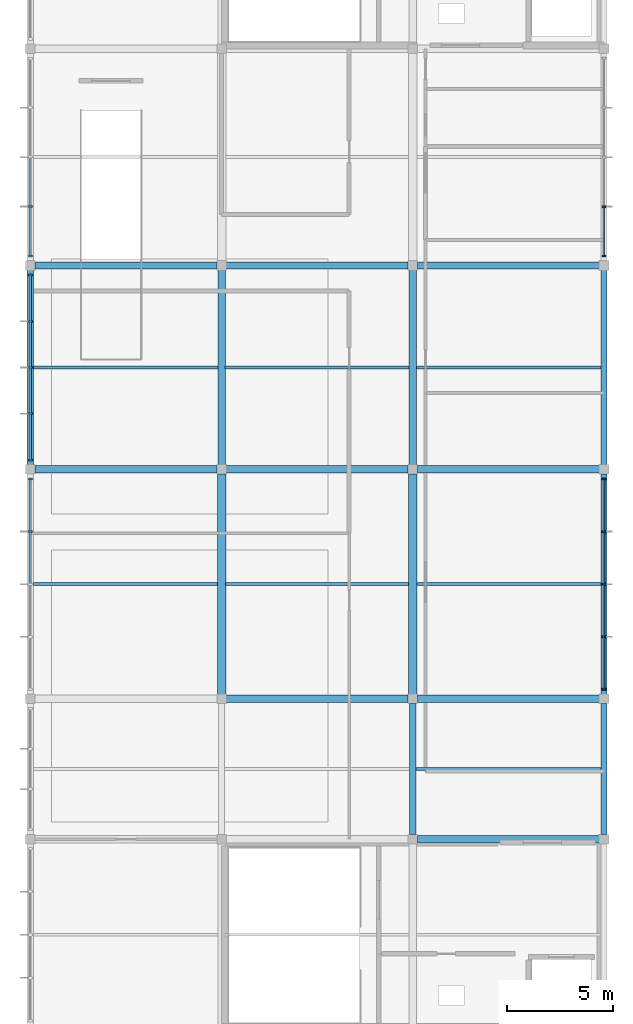
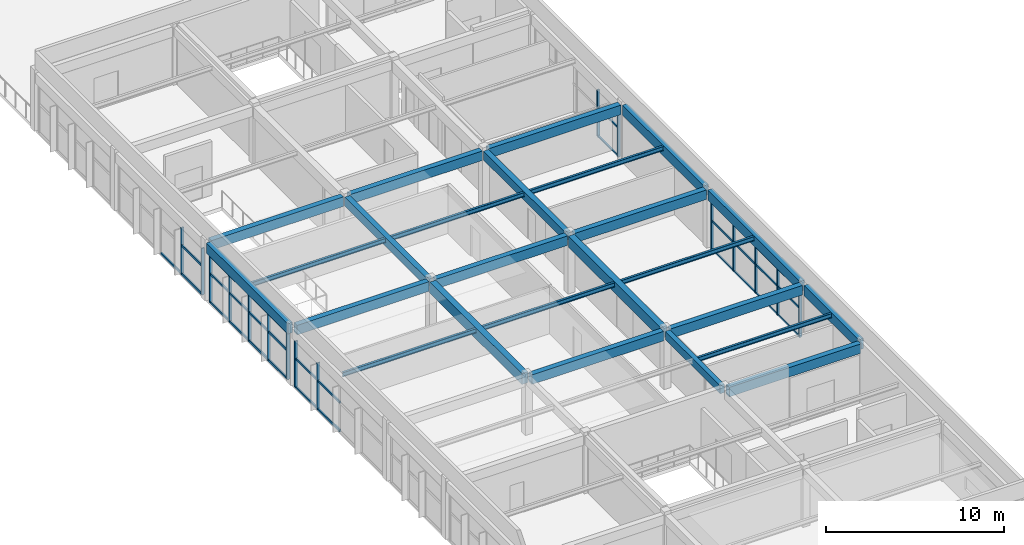
# One storey, part 3 of 10: 43 members, 25 beams, 5 elements without a shape of their own.
"""IFC4 building model written with IfcOpenShell, lengths in metres."""

from ifc_helpers import new_model, si_unit, direction, frame, origin, origin_2d, place, context, subcontext, project, spatial, rectangle, i_section, extrude, material, material_profile, profile_set, type_object, element, aggregate, save


model = new_model("IFC4")

# Units and contexts
model_context = context("Model", 3, precision=1e-05, world=origin(), true_north=direction((0.0, 1.0)))
body_context = subcontext(model_context, "Body", "Model", "MODEL_VIEW")
ifc_project = project(units=[si_unit("LENGTHUNIT", "METRE"), si_unit("AREAUNIT", "SQUARE_METRE"), si_unit("VOLUMEUNIT", "CUBIC_METRE"), si_unit("PLANEANGLEUNIT", "RADIAN"), si_unit("MASSUNIT", "GRAM", prefix="KILO")], contexts=[model_context])

# Site, building, storey
site_placement = place(None, origin())
site = spatial("IfcSite", under=ifc_project, at=site_placement, CompositionType="ELEMENT")
building_placement = place(site_placement, origin())
building = spatial("IfcBuilding", under=site, at=building_placement, Name="Suirenkawa Promenade Aquatics Centre", CompositionType="ELEMENT")
storey_placement = place(building_placement, frame((0.0, 0.0, 18.60009765625)))
storey = spatial("IfcBuildingStorey", under=building, at=storey_placement, Name="L04", CompositionType="ELEMENT", Elevation=18.60009765625)

# Beams
ifc_material_1 = material(Name="Steel IS 2062 E350 (Grade 350)", Category="steel")
ifc_material_profile_1 = material_profile(ifc_material_1, i_section(OverallWidth=0.139892578125, OverallDepth=0.300048828125, WebThickness=0.008056640625, FlangeThickness=0.012939453125, at=origin_2d()), Name="ISMB 300", Category="steel")
ifc_profile_set_1 = profile_set([ifc_material_profile_1], Name="Steel IS 2062 E350 (Grade 350)")
beam_type_1 = type_object("IfcBeamType", Name="BT-JOIST-ISMB300", PredefinedType="JOIST", material=ifc_profile_set_1)
beam_1_placement = place(storey_placement, frame((0.14404296875, 34.199951171875, 3.81787109375), z_axis=(1.0, 0.0, 0.0), x_axis=(0.0, 1.0, 0.0)))
element("IfcBeam", 1, at=beam_1_placement, inside=storey, type_object=beam_type_1, Name="Secondary floor joist JS-02 BM-0890", PredefinedType="JOIST", context=body_context, shape_type="SweptSolid", body=[
    extrude(i_section(OverallWidth=0.139892578125, OverallDepth=0.300048828125, WebThickness=0.008056640625, FlangeThickness=0.012939453125, at=origin_2d()), origin(), (0.0, 0.0, 1.0), 8.661865234375),
])
beam_2_placement = place(storey_placement, frame((0.14404296875, 44.39990234375, 3.81787109375), z_axis=(1.0, 0.0, 0.0), x_axis=(0.0, 1.0, 0.0)))
element("IfcBeam", 2, at=beam_2_placement, inside=storey, type_object=beam_type_1, Name="Secondary floor joist JS-02 BM-0891", PredefinedType="JOIST", context=body_context, shape_type="SweptSolid", body=[
    extrude(i_section(OverallWidth=0.139892578125, OverallDepth=0.300048828125, WebThickness=0.008056640625, FlangeThickness=0.012939453125, at=origin_2d()), origin(), (0.0, 0.0, 1.0), 8.68701171875),
])
beam_3_placement = place(storey_placement, frame((9.194091796875, 34.199951171875, 3.81787109375), z_axis=(1.0, 0.0, 0.0), x_axis=(0.0, 1.0, 0.0)))
element("IfcBeam", 3, at=beam_3_placement, inside=storey, type_object=beam_type_1, Name="Secondary floor joist JS-02 BM-0897", PredefinedType="JOIST", context=body_context, shape_type="SweptSolid", body=[
    extrude(i_section(OverallWidth=0.139892578125, OverallDepth=0.300048828125, WebThickness=0.008056640625, FlangeThickness=0.012939453125, at=origin_2d()), origin(), (0.0, 0.0, 1.0), 8.61181640625),
])
beam_4_placement = place(storey_placement, frame((9.1689453125, 44.39990234375, 3.81787109375), z_axis=(1.0, 0.0, 0.0), x_axis=(0.0, 1.0, 0.0)))
element("IfcBeam", 4, at=beam_4_placement, inside=storey, type_object=beam_type_1, Name="Secondary floor joist JS-02 BM-0898", PredefinedType="JOIST", context=body_context, shape_type="SweptSolid", body=[
    extrude(i_section(OverallWidth=0.139892578125, OverallDepth=0.300048828125, WebThickness=0.008056640625, FlangeThickness=0.012939453125, at=origin_2d()), origin(), (0.0, 0.0, 1.0), 8.662109375),
])
beam_5_placement = place(storey_placement, frame((18.14404296875, 25.5, 3.81787109375), z_axis=(1.0, 0.0, 0.0), x_axis=(0.0, 1.0, 0.0)))
element("IfcBeam", 5, at=beam_5_placement, inside=storey, type_object=beam_type_1, Name="Secondary floor joist JS-02 BM-0903", PredefinedType="JOIST", context=body_context, shape_type="SweptSolid", body=[
    extrude(i_section(OverallWidth=0.139892578125, OverallDepth=0.300048828125, WebThickness=0.008056640625, FlangeThickness=0.012939453125, at=origin_2d()), origin(), (0.0, 0.0, 1.0), 8.7119140625),
])
beam_6_placement = place(storey_placement, frame((18.194091796875, 34.199951171875, 3.81787109375), z_axis=(1.0, 0.0, 0.0), x_axis=(0.0, 1.0, 0.0)))
element("IfcBeam", 6, at=beam_6_placement, inside=storey, type_object=beam_type_1, Name="Secondary floor joist JS-02 BM-0904", PredefinedType="JOIST", context=body_context, shape_type="SweptSolid", body=[
    extrude(i_section(OverallWidth=0.139892578125, OverallDepth=0.300048828125, WebThickness=0.008056640625, FlangeThickness=0.012939453125, at=origin_2d()), origin(), (0.0, 0.0, 1.0), 8.661865234375),
])
beam_7_placement = place(storey_placement, frame((18.1689453125, 44.39990234375, 3.81787109375), z_axis=(1.0, 0.0, 0.0), x_axis=(0.0, 1.0, 0.0)))
element("IfcBeam", 7, at=beam_7_placement, inside=storey, type_object=beam_type_1, Name="Secondary floor joist JS-02 BM-0905", PredefinedType="JOIST", context=body_context, shape_type="SweptSolid", body=[
    extrude(i_section(OverallWidth=0.139892578125, OverallDepth=0.300048828125, WebThickness=0.008056640625, FlangeThickness=0.012939453125, at=origin_2d()), origin(), (0.0, 0.0, 1.0), 8.68701171875),
])
ifc_material_2 = material(Name="Concrete M35", Category="concrete")
ifc_material_profile_2 = material_profile(ifc_material_2, rectangle(XDim=0.300048828125, YDim=0.550048828125, at=origin_2d()), Name="RC BM 300x550", Category="concrete")
ifc_profile_set_2 = profile_set([ifc_material_profile_2], Name="Concrete M35")
beam_type_2 = type_object("IfcBeamType", Name="BT-RC-300x550", PredefinedType="BEAM", material=ifc_profile_set_2)
beam_8_placement = place(storey_placement, frame((18.0, 22.4189453125, 3.69482421875), z_axis=(0.0, 1.0, 0.0), x_axis=(-1.0, 0.0, 0.0)))
element("IfcBeam", 8, at=beam_8_placement, inside=storey, type_object=beam_type_2, Name="Floor beam BM-01 BM-0875", PredefinedType="BEAM", context=body_context, shape_type="SweptSolid", body=[
    extrude(rectangle(XDim=0.300048828125, YDim=0.550048828125, at=origin_2d()), origin(), (0.0, 0.0, 1.0), 6.162109375),
])
ifc_material_profile_3 = material_profile(ifc_material_2, rectangle(XDim=0.35009765625, YDim=0.60009765625, at=origin_2d()), Name="RC BM 350x600", Category="concrete")
ifc_profile_set_3 = profile_set([ifc_material_profile_3], Name="Concrete M35")
beam_type_3 = type_object("IfcBeamType", Name="BT-RC-350x600", PredefinedType="BEAM", material=ifc_profile_set_3)
for number, where, z_axis, x_axis, name in (
    (9, (9.0, 39.819091796875, 3.669921875), (0.0, 1.0, 0.0), (-1.0, 0.0, 0.0), "Floor beam BM-02 BM-0870"),
    (10, (18.0, 39.819091796875, 3.669921875), (0.0, 1.0, 0.0), (-1.0, 0.0, 0.0), "Floor beam BM-02 BM-0877"),
):
    element("IfcBeam", number, at=place(storey_placement, frame(where, z_axis=z_axis, x_axis=x_axis)), inside=storey, type_object=beam_type_3, Name=name, PredefinedType="BEAM", context=body_context, shape_type="SweptSolid", body=[
        extrude(rectangle(XDim=0.35009765625, YDim=0.60009765625, at=origin_2d()), origin(), (0.0, 0.0, 1.0), 9.161865234375),
    ])
ifc_material_profile_4 = material_profile(ifc_material_2, rectangle(XDim=0.35009765625, YDim=0.64990234375, at=origin_2d()), Name="RC BM 350x650", Category="concrete")
ifc_profile_set_4 = profile_set([ifc_material_profile_4], Name="Concrete M35")
beam_type_4 = type_object("IfcBeamType", Name="BT-RC-350x650", PredefinedType="BEAM", material=ifc_profile_set_4)
for number, where, z_axis, x_axis, name in (
    (11, (18.218994140625, 22.199951171875, 3.64501953125), (1.0, 0.0, 0.0), (0.0, 1.0, 0.0), "Floor beam BM-03 BM-0843"),
    (12, (9.218994140625, 28.800048828125, 3.64501953125), (1.0, 0.0, 0.0), (0.0, 1.0, 0.0), "Floor beam BM-03 BM-0845"),
    (13, (18.218994140625, 28.800048828125, 3.64501953125), (1.0, 0.0, 0.0), (0.0, 1.0, 0.0), "Floor beam BM-03 BM-0846"),
    (14, (0.218994140625, 39.60009765625, 3.64501953125), (1.0, 0.0, 0.0), (0.0, 1.0, 0.0), "Floor beam BM-03 BM-0847"),
    (15, (9.218994140625, 39.60009765625, 3.64501953125), (1.0, 0.0, 0.0), (0.0, 1.0, 0.0), "Floor beam BM-03 BM-0848"),
    (16, (18.218994140625, 39.60009765625, 3.64501953125), (1.0, 0.0, 0.0), (0.0, 1.0, 0.0), "Floor beam BM-03 BM-0849"),
    (17, (0.218994140625, 49.199951171875, 3.64501953125), (1.0, 0.0, 0.0), (0.0, 1.0, 0.0), "Floor beam BM-03 BM-0850"),
    (18, (9.218994140625, 49.199951171875, 3.64501953125), (1.0, 0.0, 0.0), (0.0, 1.0, 0.0), "Floor beam BM-03 BM-0851"),
    (19, (18.218994140625, 49.199951171875, 3.64501953125), (1.0, 0.0, 0.0), (0.0, 1.0, 0.0), "Floor beam BM-03 BM-0852"),
):
    element("IfcBeam", number, at=place(storey_placement, frame(where, z_axis=z_axis, x_axis=x_axis)), inside=storey, type_object=beam_type_4, Name=name, PredefinedType="BEAM", context=body_context, shape_type="SweptSolid", body=[
        extrude(rectangle(XDim=0.35009765625, YDim=0.64990234375, at=origin_2d()), origin(), (0.0, 0.0, 1.0), 8.56201171875),
    ])
ifc_material_3 = material(Name="Concrete M40", Category="concrete")
ifc_material_profile_5 = material_profile(ifc_material_3, rectangle(XDim=0.39990234375, YDim=0.75, at=origin_2d()), Name="RC BM 400x750", Category="concrete")
ifc_profile_set_5 = profile_set([ifc_material_profile_5], Name="Concrete M40")
beam_type_5 = type_object("IfcBeamType", Name="BT-RC-400x750", PredefinedType="BEAM", material=ifc_profile_set_5)
for number, where, z_axis, x_axis, name in (
    (20, (9.0, 29.01904296875, 3.594970703125), (0.0, 1.0, 0.0), (-1.0, 0.0, 0.0), "Floor beam BM-05 BM-0869"),
    (21, (18.0, 29.01904296875, 3.594970703125), (0.0, 1.0, 0.0), (-1.0, 0.0, 0.0), "Floor beam BM-05 BM-0876"),
):
    element("IfcBeam", number, at=place(storey_placement, frame(where, z_axis=z_axis, x_axis=x_axis)), inside=storey, type_object=beam_type_5, Name=name, PredefinedType="BEAM", context=body_context, shape_type="SweptSolid", body=[
        extrude(rectangle(XDim=0.39990234375, YDim=0.75, at=origin_2d()), origin(), (0.0, 0.0, 1.0), 10.362060546875),
    ])
ifc_material_profile_6 = material_profile(ifc_material_3, rectangle(XDim=0.300048828125, YDim=0.699951171875, at=origin_2d()), Name="RC SPANDREL 300x700", Category="concrete")
ifc_profile_set_6 = profile_set([ifc_material_profile_6], Name="Concrete M40")
beam_type_6 = type_object("IfcBeamType", Name="BT-SPANDREL-300x700", PredefinedType="SPANDREL", material=ifc_profile_set_6)
beam_9_placement = place(storey_placement, frame((0.0, 39.819091796875, 3.619873046875), z_axis=(0.0, 1.0, 0.0), x_axis=(-1.0, 0.0, 0.0)))
element("IfcBeam", 22, at=beam_9_placement, inside=storey, type_object=beam_type_6, Name="Floor beam SP-01 BM-0863", PredefinedType="SPANDREL", context=body_context, shape_type="SweptSolid", body=[
    extrude(rectangle(XDim=0.300048828125, YDim=0.699951171875, at=origin_2d()), origin(), (0.0, 0.0, 1.0), 9.161865234375),
])
beam_10_placement = place(storey_placement, frame((27.0, 22.4189453125, 3.619873046875), z_axis=(0.0, 1.0, 0.0), x_axis=(-1.0, 0.0, 0.0)))
element("IfcBeam", 23, at=beam_10_placement, inside=storey, type_object=beam_type_6, Name="Floor beam SP-01 BM-0882", PredefinedType="SPANDREL", context=body_context, shape_type="SweptSolid", body=[
    extrude(rectangle(XDim=0.300048828125, YDim=0.699951171875, at=origin_2d()), origin(), (0.0, 0.0, 1.0), 6.162109375),
])
beam_11_placement = place(storey_placement, frame((27.0, 29.01904296875, 3.619873046875), z_axis=(0.0, 1.0, 0.0), x_axis=(-1.0, 0.0, 0.0)))
element("IfcBeam", 24, at=beam_11_placement, inside=storey, type_object=beam_type_6, Name="Floor beam SP-01 BM-0883", PredefinedType="SPANDREL", context=body_context, shape_type="SweptSolid", body=[
    extrude(rectangle(XDim=0.300048828125, YDim=0.699951171875, at=origin_2d()), origin(), (0.0, 0.0, 1.0), 10.362060546875),
])
beam_12_placement = place(storey_placement, frame((27.0, 39.819091796875, 3.619873046875), z_axis=(0.0, 1.0, 0.0), x_axis=(-1.0, 0.0, 0.0)))
element("IfcBeam", 25, at=beam_12_placement, inside=storey, type_object=beam_type_6, Name="Floor beam SP-01 BM-0884", PredefinedType="SPANDREL", context=body_context, shape_type="SweptSolid", body=[
    extrude(rectangle(XDim=0.300048828125, YDim=0.699951171875, at=origin_2d()), origin(), (0.0, 0.0, 1.0), 9.161865234375),
])

# Curtain wall, members
ifc_material_4 = material(Name="Anodised aluminium 6063-T6", Category="aluminium")
curtain_wall_type_1 = type_object("IfcCurtainWallType", Name="CWAT-V5EL04-82", PredefinedType="NOTDEFINED", material=ifc_material_4)
curtain_wall_1_placement = place(storey_placement, origin())
curtain_wall_1 = element("IfcCurtainWall", 26, at=curtain_wall_1_placement, inside=storey, type_object=curtain_wall_type_1, Name="Curtain wall CWA-82 CW-149", PredefinedType="NOTDEFINED")
ifc_material_profile_7 = material_profile(ifc_material_4, rectangle(XDim=0.090087890625, YDim=0.159912109375, at=origin_2d()), Name="ALU MULL 90x160", Category="aluminium")
ifc_profile_set_7 = profile_set([ifc_material_profile_7], Name="Anodised aluminium 6063-T6")
member_type_1 = type_object("IfcMemberType", Name="CWM-160x90", PredefinedType="MULLION", material=ifc_profile_set_7)
member_1_placement = place(storey_placement, frame((27.0, 39.15087890625, 0.0), z_axis=(0.0, 0.0, 1.0), x_axis=(0.0, -1.0, 0.0)))
member_1 = element("IfcMember", 27, at=member_1_placement, type_object=member_type_1, Name="Mullion ML-03 CWM-03032", PredefinedType="MULLION", context=body_context, shape_type="SweptSolid", body=[
    extrude(rectangle(XDim=0.090087890625, YDim=0.159912109375, at=origin_2d()), origin(), (0.0, 0.0, 1.0), 3.1748046875),
])
member_2_placement = place(storey_placement, frame((27.0, 36.675537109375, 0.0), z_axis=(0.0, 0.0, 1.0), x_axis=(0.0, -1.0, 0.0)))
member_2 = element("IfcMember", 28, at=member_2_placement, type_object=member_type_1, Name="Mullion ML-03 CWM-03033", PredefinedType="MULLION", context=body_context, shape_type="SweptSolid", body=[
    extrude(rectangle(XDim=0.090087890625, YDim=0.159912109375, at=origin_2d()), origin(), (0.0, 0.0, 1.0), 3.1748046875),
])
member_3_placement = place(storey_placement, frame((27.0, 34.199951171875, 0.0), z_axis=(0.0, 0.0, 1.0), x_axis=(0.0, -1.0, 0.0)))
member_3 = element("IfcMember", 29, at=member_3_placement, type_object=member_type_1, Name="Mullion ML-03 CWM-03034", PredefinedType="MULLION", context=body_context, shape_type="SweptSolid", body=[
    extrude(rectangle(XDim=0.090087890625, YDim=0.159912109375, at=origin_2d()), origin(), (0.0, 0.0, 1.0), 3.1748046875),
])
member_4_placement = place(storey_placement, frame((27.0, 31.724609375, 0.0), z_axis=(0.0, 0.0, 1.0), x_axis=(0.0, -1.0, 0.0)))
member_4 = element("IfcMember", 30, at=member_4_placement, type_object=member_type_1, Name="Mullion ML-03 CWM-03035", PredefinedType="MULLION", context=body_context, shape_type="SweptSolid", body=[
    extrude(rectangle(XDim=0.090087890625, YDim=0.159912109375, at=origin_2d()), origin(), (0.0, 0.0, 1.0), 3.1748046875),
])
member_5_placement = place(storey_placement, frame((27.0, 29.2490234375, 0.0), z_axis=(0.0, 0.0, 1.0), x_axis=(0.0, -1.0, 0.0)))
member_5 = element("IfcMember", 31, at=member_5_placement, type_object=member_type_1, Name="Mullion ML-03 CWM-03036", PredefinedType="MULLION", context=body_context, shape_type="SweptSolid", body=[
    extrude(rectangle(XDim=0.090087890625, YDim=0.159912109375, at=origin_2d()), origin(), (0.0, 0.0, 1.0), 3.1748046875),
])

curtain_wall_type_2 = type_object("IfcCurtainWallType", Name="CWAT-V5EL04-85", PredefinedType="NOTDEFINED", material=ifc_material_4)
curtain_wall_2_placement = place(storey_placement, origin())
curtain_wall_2 = element("IfcCurtainWall", 32, at=curtain_wall_2_placement, inside=storey, type_object=curtain_wall_type_2, Name="Curtain wall CWA-85 CW-152", PredefinedType="NOTDEFINED")
member_6_placement = place(storey_placement, frame((27.0, 51.974609375, 0.0), z_axis=(0.0, 0.0, 1.0), x_axis=(0.0, -1.0, 0.0)))
member_6 = element("IfcMember", 33, at=member_6_placement, type_object=member_type_1, Name="Mullion ML-03 CWM-03101", PredefinedType="MULLION", context=body_context, shape_type="SweptSolid", body=[
    extrude(rectangle(XDim=0.090087890625, YDim=0.159912109375, at=origin_2d()), origin(), (0.0, 0.0, 1.0), 3.1748046875),
])
member_7_placement = place(storey_placement, frame((27.0, 49.64892578125, 0.0), z_axis=(0.0, 0.0, 1.0), x_axis=(0.0, -1.0, 0.0)))
member_7 = element("IfcMember", 34, at=member_7_placement, type_object=member_type_1, Name="Mullion ML-03 CWM-03102", PredefinedType="MULLION", context=body_context, shape_type="SweptSolid", body=[
    extrude(rectangle(XDim=0.090087890625, YDim=0.159912109375, at=origin_2d()), origin(), (0.0, 0.0, 1.0), 3.1748046875),
])

curtain_wall_type_3 = type_object("IfcCurtainWallType", Name="CWAT-V5WL04-81", PredefinedType="NOTDEFINED", material=ifc_material_4)
curtain_wall_3_placement = place(storey_placement, origin())
curtain_wall_3 = element("IfcCurtainWall", 35, at=curtain_wall_3_placement, inside=storey, type_object=curtain_wall_type_3, Name="Curtain wall CWA-81 CW-148", PredefinedType="NOTDEFINED")
ifc_material_profile_8 = material_profile(ifc_material_4, rectangle(XDim=0.094970703125, YDim=0.18994140625, at=origin_2d()), Name="ALU MULL 95x190", Category="aluminium")
ifc_profile_set_8 = profile_set([ifc_material_profile_8], Name="Anodised aluminium 6063-T6")
member_type_2 = type_object("IfcMemberType", Name="CWM-190x95", PredefinedType="MULLION", material=ifc_profile_set_8)
member_8_placement = place(storey_placement, frame((0.0, 36.675537109375, 0.0), z_axis=(0.0, 0.0, 1.0), x_axis=(0.0, 1.0, 0.0)))
member_8 = element("IfcMember", 36, at=member_8_placement, type_object=member_type_2, Name="Mullion ML-02 CWM-03013", PredefinedType="MULLION", context=body_context, shape_type="SweptSolid", body=[
    extrude(rectangle(XDim=0.094970703125, YDim=0.18994140625, at=origin_2d()), origin(), (0.0, 0.0, 1.0), 3.1748046875),
])
member_9_placement = place(storey_placement, frame((0.0, 39.15087890625, 0.0), z_axis=(0.0, 0.0, 1.0), x_axis=(0.0, 1.0, 0.0)))
member_9 = element("IfcMember", 37, at=member_9_placement, type_object=member_type_2, Name="Mullion ML-02 CWM-03014", PredefinedType="MULLION", context=body_context, shape_type="SweptSolid", body=[
    extrude(rectangle(XDim=0.094970703125, YDim=0.18994140625, at=origin_2d()), origin(), (0.0, 0.0, 1.0), 3.1748046875),
])

curtain_wall_type_4 = type_object("IfcCurtainWallType", Name="CWAT-V5WL04-83", PredefinedType="NOTDEFINED", material=ifc_material_4)
curtain_wall_4_placement = place(storey_placement, origin())
curtain_wall_4 = element("IfcCurtainWall", 38, at=curtain_wall_4_placement, inside=storey, type_object=curtain_wall_type_4, Name="Curtain wall CWA-83 CW-150", PredefinedType="NOTDEFINED")
member_10_placement = place(storey_placement, frame((0.0, 40.049072265625, 0.0), z_axis=(0.0, 0.0, 1.0), x_axis=(0.0, 1.0, 0.0)))
member_10 = element("IfcMember", 39, at=member_10_placement, type_object=member_type_2, Name="Mullion ML-02 CWM-03054", PredefinedType="MULLION", context=body_context, shape_type="SweptSolid", body=[
    extrude(rectangle(XDim=0.094970703125, YDim=0.18994140625, at=origin_2d()), origin(), (0.0, 0.0, 1.0), 3.1748046875),
])
member_11_placement = place(storey_placement, frame((0.0, 42.224609375, 0.0), z_axis=(0.0, 0.0, 1.0), x_axis=(0.0, 1.0, 0.0)))
member_11 = element("IfcMember", 40, at=member_11_placement, type_object=member_type_2, Name="Mullion ML-02 CWM-03055", PredefinedType="MULLION", context=body_context, shape_type="SweptSolid", body=[
    extrude(rectangle(XDim=0.094970703125, YDim=0.18994140625, at=origin_2d()), origin(), (0.0, 0.0, 1.0), 3.1748046875),
])
member_12_placement = place(storey_placement, frame((0.0, 44.39990234375, 0.0), z_axis=(0.0, 0.0, 1.0), x_axis=(0.0, 1.0, 0.0)))
member_12 = element("IfcMember", 41, at=member_12_placement, type_object=member_type_2, Name="Mullion ML-02 CWM-03056", PredefinedType="MULLION", context=body_context, shape_type="SweptSolid", body=[
    extrude(rectangle(XDim=0.094970703125, YDim=0.18994140625, at=origin_2d()), origin(), (0.0, 0.0, 1.0), 3.1748046875),
])
member_13_placement = place(storey_placement, frame((0.0, 46.575439453125, 0.0), z_axis=(0.0, 0.0, 1.0), x_axis=(0.0, 1.0, 0.0)))
member_13 = element("IfcMember", 42, at=member_13_placement, type_object=member_type_2, Name="Mullion ML-02 CWM-03057", PredefinedType="MULLION", context=body_context, shape_type="SweptSolid", body=[
    extrude(rectangle(XDim=0.094970703125, YDim=0.18994140625, at=origin_2d()), origin(), (0.0, 0.0, 1.0), 3.1748046875),
])
member_14_placement = place(storey_placement, frame((0.0, 48.7509765625, 0.0), z_axis=(0.0, 0.0, 1.0), x_axis=(0.0, 1.0, 0.0)))
member_14 = element("IfcMember", 43, at=member_14_placement, type_object=member_type_2, Name="Mullion ML-02 CWM-03058", PredefinedType="MULLION", context=body_context, shape_type="SweptSolid", body=[
    extrude(rectangle(XDim=0.094970703125, YDim=0.18994140625, at=origin_2d()), origin(), (0.0, 0.0, 1.0), 3.1748046875),
])

curtain_wall_type_5 = type_object("IfcCurtainWallType", Name="CWAT-V5WL04-84", PredefinedType="NOTDEFINED", material=ifc_material_4)
curtain_wall_5_placement = place(storey_placement, origin())
curtain_wall_5 = element("IfcCurtainWall", 44, at=curtain_wall_5_placement, inside=storey, type_object=curtain_wall_type_5, Name="Curtain wall CWA-84 CW-151", PredefinedType="NOTDEFINED")
member_15_placement = place(storey_placement, frame((0.0, 49.64892578125, 0.0), z_axis=(0.0, 0.0, 1.0), x_axis=(0.0, 1.0, 0.0)))
member_15 = element("IfcMember", 45, at=member_15_placement, type_object=member_type_2, Name="Mullion ML-02 CWM-03076", PredefinedType="MULLION", context=body_context, shape_type="SweptSolid", body=[
    extrude(rectangle(XDim=0.094970703125, YDim=0.18994140625, at=origin_2d()), origin(), (0.0, 0.0, 1.0), 3.1748046875),
])
member_16_placement = place(storey_placement, frame((0.0, 51.974609375, 0.0), z_axis=(0.0, 0.0, 1.0), x_axis=(0.0, 1.0, 0.0)))
member_16 = element("IfcMember", 46, at=member_16_placement, type_object=member_type_2, Name="Mullion ML-02 CWM-03077", PredefinedType="MULLION", context=body_context, shape_type="SweptSolid", body=[
    extrude(rectangle(XDim=0.094970703125, YDim=0.18994140625, at=origin_2d()), origin(), (0.0, 0.0, 1.0), 3.1748046875),
])

# Member
ifc_material_profile_9 = material_profile(ifc_material_4, rectangle(XDim=0.090087890625, YDim=0.1298828125, at=origin_2d()), Name="ALU TRAN 90x130", Category="aluminium")
ifc_profile_set_9 = profile_set([ifc_material_profile_9], Name="Anodised aluminium 6063-T6")
member_type_3 = type_object("IfcMemberType", Name="CWT-130x90", PredefinedType="USERDEFINED", material=ifc_profile_set_9)
member_17_placement = place(storey_placement, frame((27.0, 39.15087890625, 0.0), z_axis=(0.0, -1.0, 0.0), x_axis=(1.0, 0.0, 0.0)))
member_17 = element("IfcMember", 47, at=member_17_placement, type_object=member_type_3, Name="Transom TR-03 CWT-03037", ObjectType="TRANSOM", PredefinedType="USERDEFINED", context=body_context, shape_type="SweptSolid", body=[
    extrude(rectangle(XDim=0.090087890625, YDim=0.1298828125, at=origin_2d()), origin(), (0.0, 0.0, 1.0), 2.475341796875),
])

member_18_placement = place(storey_placement, frame((27.0, 36.675537109375, 0.0), z_axis=(0.0, -1.0, 0.0), x_axis=(1.0, 0.0, 0.0)))
member_18 = element("IfcMember", 48, at=member_18_placement, type_object=member_type_3, Name="Transom TR-03 CWT-03038", ObjectType="TRANSOM", PredefinedType="USERDEFINED", context=body_context, shape_type="SweptSolid", body=[
    extrude(rectangle(XDim=0.090087890625, YDim=0.1298828125, at=origin_2d()), origin(), (0.0, 0.0, 1.0), 2.4755859375),
])

member_19_placement = place(storey_placement, frame((27.0, 34.199951171875, 0.0), z_axis=(0.0, -1.0, 0.0), x_axis=(1.0, 0.0, 0.0)))
member_19 = element("IfcMember", 49, at=member_19_placement, type_object=member_type_3, Name="Transom TR-03 CWT-03039", ObjectType="TRANSOM", PredefinedType="USERDEFINED", context=body_context, shape_type="SweptSolid", body=[
    extrude(rectangle(XDim=0.090087890625, YDim=0.1298828125, at=origin_2d()), origin(), (0.0, 0.0, 1.0), 2.475341796875),
])

member_20_placement = place(storey_placement, frame((27.0, 31.724609375, 0.0), z_axis=(0.0, -1.0, 0.0), x_axis=(1.0, 0.0, 0.0)))
member_20 = element("IfcMember", 50, at=member_20_placement, type_object=member_type_3, Name="Transom TR-03 CWT-03040", ObjectType="TRANSOM", PredefinedType="USERDEFINED", context=body_context, shape_type="SweptSolid", body=[
    extrude(rectangle(XDim=0.090087890625, YDim=0.1298828125, at=origin_2d()), origin(), (0.0, 0.0, 1.0), 2.4755859375),
])

member_21_placement = place(storey_placement, frame((27.0, 39.15087890625, 1.949951171875), z_axis=(0.0, -1.0, 0.0), x_axis=(1.0, 0.0, 0.0)))
member_21 = element("IfcMember", 51, at=member_21_placement, type_object=member_type_3, Name="Transom TR-03 CWT-03041", ObjectType="TRANSOM", PredefinedType="USERDEFINED", context=body_context, shape_type="SweptSolid", body=[
    extrude(rectangle(XDim=0.090087890625, YDim=0.1298828125, at=origin_2d()), origin(), (0.0, 0.0, 1.0), 2.475341796875),
])

member_22_placement = place(storey_placement, frame((27.0, 36.675537109375, 1.949951171875), z_axis=(0.0, -1.0, 0.0), x_axis=(1.0, 0.0, 0.0)))
member_22 = element("IfcMember", 52, at=member_22_placement, type_object=member_type_3, Name="Transom TR-03 CWT-03042", ObjectType="TRANSOM", PredefinedType="USERDEFINED", context=body_context, shape_type="SweptSolid", body=[
    extrude(rectangle(XDim=0.090087890625, YDim=0.1298828125, at=origin_2d()), origin(), (0.0, 0.0, 1.0), 2.4755859375),
])

member_23_placement = place(storey_placement, frame((27.0, 34.199951171875, 1.949951171875), z_axis=(0.0, -1.0, 0.0), x_axis=(1.0, 0.0, 0.0)))
member_23 = element("IfcMember", 53, at=member_23_placement, type_object=member_type_3, Name="Transom TR-03 CWT-03043", ObjectType="TRANSOM", PredefinedType="USERDEFINED", context=body_context, shape_type="SweptSolid", body=[
    extrude(rectangle(XDim=0.090087890625, YDim=0.1298828125, at=origin_2d()), origin(), (0.0, 0.0, 1.0), 2.475341796875),
])

member_24_placement = place(storey_placement, frame((27.0, 31.724609375, 1.949951171875), z_axis=(0.0, -1.0, 0.0), x_axis=(1.0, 0.0, 0.0)))
member_24 = element("IfcMember", 54, at=member_24_placement, type_object=member_type_3, Name="Transom TR-03 CWT-03044", ObjectType="TRANSOM", PredefinedType="USERDEFINED", context=body_context, shape_type="SweptSolid", body=[
    extrude(rectangle(XDim=0.090087890625, YDim=0.1298828125, at=origin_2d()), origin(), (0.0, 0.0, 1.0), 2.4755859375),
])

member_25_placement = place(storey_placement, frame((27.0, 39.15087890625, 3.1748046875), z_axis=(0.0, -1.0, 0.0), x_axis=(1.0, 0.0, 0.0)))
member_25 = element("IfcMember", 55, at=member_25_placement, type_object=member_type_3, Name="Roofline transom TR-03 CWT-03045", ObjectType="TRANSOM", PredefinedType="USERDEFINED", context=body_context, shape_type="SweptSolid", body=[
    extrude(rectangle(XDim=0.090087890625, YDim=0.1298828125, at=origin_2d()), origin(), (0.0, 0.0, 1.0), 9.90185546875),
])

aggregate(curtain_wall_1, [member_1, member_2, member_3, member_4, member_5, member_17, member_18, member_19, member_20, member_21, member_22, member_23, member_24, member_25])

member_26_placement = place(storey_placement, frame((27.0, 51.974609375, 0.0), z_axis=(0.0, -1.0, 0.0), x_axis=(1.0, 0.0, 0.0)))
member_26 = element("IfcMember", 56, at=member_26_placement, type_object=member_type_3, Name="Transom TR-03 CWT-03106", ObjectType="TRANSOM", PredefinedType="USERDEFINED", context=body_context, shape_type="SweptSolid", body=[
    extrude(rectangle(XDim=0.090087890625, YDim=0.1298828125, at=origin_2d()), origin(), (0.0, 0.0, 1.0), 2.32568359375),
])

member_27_placement = place(storey_placement, frame((27.0, 51.974609375, 1.949951171875), z_axis=(0.0, -1.0, 0.0), x_axis=(1.0, 0.0, 0.0)))
member_27 = element("IfcMember", 57, at=member_27_placement, type_object=member_type_3, Name="Transom TR-03 CWT-03110", ObjectType="TRANSOM", PredefinedType="USERDEFINED", context=body_context, shape_type="SweptSolid", body=[
    extrude(rectangle(XDim=0.090087890625, YDim=0.1298828125, at=origin_2d()), origin(), (0.0, 0.0, 1.0), 2.32568359375),
])

aggregate(curtain_wall_2, [member_6, member_7, member_26, member_27])

ifc_material_profile_10 = material_profile(ifc_material_4, rectangle(XDim=0.094970703125, YDim=0.14990234375, at=origin_2d()), Name="ALU TRAN 95x150", Category="aluminium")
ifc_profile_set_10 = profile_set([ifc_material_profile_10], Name="Anodised aluminium 6063-T6")
member_type_4 = type_object("IfcMemberType", Name="CWT-150x95", PredefinedType="USERDEFINED", material=ifc_profile_set_10)
member_28_placement = place(storey_placement, frame((0.0, 34.199951171875, 0.0), z_axis=(0.0, 1.0, 0.0), x_axis=(-1.0, 0.0, 0.0)))
member_28 = element("IfcMember", 58, at=member_28_placement, type_object=member_type_4, Name="Transom TR-02 CWT-03017", ObjectType="TRANSOM", PredefinedType="USERDEFINED", context=body_context, shape_type="SweptSolid", body=[
    extrude(rectangle(XDim=0.094970703125, YDim=0.14990234375, at=origin_2d()), origin(), (0.0, 0.0, 1.0), 2.4755859375),
])

member_29_placement = place(storey_placement, frame((0.0, 36.675537109375, 0.0), z_axis=(0.0, 1.0, 0.0), x_axis=(-1.0, 0.0, 0.0)))
member_29 = element("IfcMember", 59, at=member_29_placement, type_object=member_type_4, Name="Transom TR-02 CWT-03018", ObjectType="TRANSOM", PredefinedType="USERDEFINED", context=body_context, shape_type="SweptSolid", body=[
    extrude(rectangle(XDim=0.094970703125, YDim=0.14990234375, at=origin_2d()), origin(), (0.0, 0.0, 1.0), 2.475341796875),
])

member_30_placement = place(storey_placement, frame((0.0, 34.199951171875, 1.949951171875), z_axis=(0.0, 1.0, 0.0), x_axis=(-1.0, 0.0, 0.0)))
member_30 = element("IfcMember", 60, at=member_30_placement, type_object=member_type_4, Name="Transom TR-02 CWT-03021", ObjectType="TRANSOM", PredefinedType="USERDEFINED", context=body_context, shape_type="SweptSolid", body=[
    extrude(rectangle(XDim=0.094970703125, YDim=0.14990234375, at=origin_2d()), origin(), (0.0, 0.0, 1.0), 2.4755859375),
])

member_31_placement = place(storey_placement, frame((0.0, 36.675537109375, 1.949951171875), z_axis=(0.0, 1.0, 0.0), x_axis=(-1.0, 0.0, 0.0)))
member_31 = element("IfcMember", 61, at=member_31_placement, type_object=member_type_4, Name="Transom TR-02 CWT-03022", ObjectType="TRANSOM", PredefinedType="USERDEFINED", context=body_context, shape_type="SweptSolid", body=[
    extrude(rectangle(XDim=0.094970703125, YDim=0.14990234375, at=origin_2d()), origin(), (0.0, 0.0, 1.0), 2.475341796875),
])

aggregate(curtain_wall_3, [member_8, member_9, member_28, member_29, member_30, member_31])

member_32_placement = place(storey_placement, frame((0.0, 40.049072265625, 0.0), z_axis=(0.0, 1.0, 0.0), x_axis=(-1.0, 0.0, 0.0)))
member_32 = element("IfcMember", 62, at=member_32_placement, type_object=member_type_4, Name="Transom TR-02 CWT-03059", ObjectType="TRANSOM", PredefinedType="USERDEFINED", context=body_context, shape_type="SweptSolid", body=[
    extrude(rectangle(XDim=0.094970703125, YDim=0.14990234375, at=origin_2d()), origin(), (0.0, 0.0, 1.0), 2.175537109375),
])

member_33_placement = place(storey_placement, frame((0.0, 42.224609375, 0.0), z_axis=(0.0, 1.0, 0.0), x_axis=(-1.0, 0.0, 0.0)))
member_33 = element("IfcMember", 63, at=member_33_placement, type_object=member_type_4, Name="Transom TR-02 CWT-03060", ObjectType="TRANSOM", PredefinedType="USERDEFINED", context=body_context, shape_type="SweptSolid", body=[
    extrude(rectangle(XDim=0.094970703125, YDim=0.14990234375, at=origin_2d()), origin(), (0.0, 0.0, 1.0), 2.17529296875),
])

member_34_placement = place(storey_placement, frame((0.0, 44.39990234375, 0.0), z_axis=(0.0, 1.0, 0.0), x_axis=(-1.0, 0.0, 0.0)))
member_34 = element("IfcMember", 64, at=member_34_placement, type_object=member_type_4, Name="Transom TR-02 CWT-03061", ObjectType="TRANSOM", PredefinedType="USERDEFINED", context=body_context, shape_type="SweptSolid", body=[
    extrude(rectangle(XDim=0.094970703125, YDim=0.14990234375, at=origin_2d()), origin(), (0.0, 0.0, 1.0), 2.175537109375),
])

member_35_placement = place(storey_placement, frame((0.0, 46.575439453125, 0.0), z_axis=(0.0, 1.0, 0.0), x_axis=(-1.0, 0.0, 0.0)))
member_35 = element("IfcMember", 65, at=member_35_placement, type_object=member_type_4, Name="Transom TR-02 CWT-03062", ObjectType="TRANSOM", PredefinedType="USERDEFINED", context=body_context, shape_type="SweptSolid", body=[
    extrude(rectangle(XDim=0.094970703125, YDim=0.14990234375, at=origin_2d()), origin(), (0.0, 0.0, 1.0), 2.175537109375),
])

member_36_placement = place(storey_placement, frame((0.0, 40.049072265625, 1.949951171875), z_axis=(0.0, 1.0, 0.0), x_axis=(-1.0, 0.0, 0.0)))
member_36 = element("IfcMember", 66, at=member_36_placement, type_object=member_type_4, Name="Transom TR-02 CWT-03063", ObjectType="TRANSOM", PredefinedType="USERDEFINED", context=body_context, shape_type="SweptSolid", body=[
    extrude(rectangle(XDim=0.094970703125, YDim=0.14990234375, at=origin_2d()), origin(), (0.0, 0.0, 1.0), 2.175537109375),
])

member_37_placement = place(storey_placement, frame((0.0, 42.224609375, 1.949951171875), z_axis=(0.0, 1.0, 0.0), x_axis=(-1.0, 0.0, 0.0)))
member_37 = element("IfcMember", 67, at=member_37_placement, type_object=member_type_4, Name="Transom TR-02 CWT-03064", ObjectType="TRANSOM", PredefinedType="USERDEFINED", context=body_context, shape_type="SweptSolid", body=[
    extrude(rectangle(XDim=0.094970703125, YDim=0.14990234375, at=origin_2d()), origin(), (0.0, 0.0, 1.0), 2.17529296875),
])

member_38_placement = place(storey_placement, frame((0.0, 44.39990234375, 1.949951171875), z_axis=(0.0, 1.0, 0.0), x_axis=(-1.0, 0.0, 0.0)))
member_38 = element("IfcMember", 68, at=member_38_placement, type_object=member_type_4, Name="Transom TR-02 CWT-03065", ObjectType="TRANSOM", PredefinedType="USERDEFINED", context=body_context, shape_type="SweptSolid", body=[
    extrude(rectangle(XDim=0.094970703125, YDim=0.14990234375, at=origin_2d()), origin(), (0.0, 0.0, 1.0), 2.175537109375),
])

member_39_placement = place(storey_placement, frame((0.0, 46.575439453125, 1.949951171875), z_axis=(0.0, 1.0, 0.0), x_axis=(-1.0, 0.0, 0.0)))
member_39 = element("IfcMember", 69, at=member_39_placement, type_object=member_type_4, Name="Transom TR-02 CWT-03066", ObjectType="TRANSOM", PredefinedType="USERDEFINED", context=body_context, shape_type="SweptSolid", body=[
    extrude(rectangle(XDim=0.094970703125, YDim=0.14990234375, at=origin_2d()), origin(), (0.0, 0.0, 1.0), 2.175537109375),
])

member_40_placement = place(storey_placement, frame((0.0, 40.049072265625, 3.1748046875), z_axis=(0.0, 1.0, 0.0), x_axis=(-1.0, 0.0, 0.0)))
member_40 = element("IfcMember", 70, at=member_40_placement, type_object=member_type_4, Name="Roofline transom TR-02 CWT-03067", ObjectType="TRANSOM", PredefinedType="USERDEFINED", context=body_context, shape_type="SweptSolid", body=[
    extrude(rectangle(XDim=0.094970703125, YDim=0.14990234375, at=origin_2d()), origin(), (0.0, 0.0, 1.0), 8.701904296875),
])

aggregate(curtain_wall_4, [member_10, member_11, member_12, member_13, member_14, member_32, member_33, member_34, member_35, member_36, member_37, member_38, member_39, member_40])

member_41_placement = place(storey_placement, frame((0.0, 49.64892578125, 0.0), z_axis=(0.0, 1.0, 0.0), x_axis=(-1.0, 0.0, 0.0)))
member_41 = element("IfcMember", 71, at=member_41_placement, type_object=member_type_4, Name="Transom TR-02 CWT-03081", ObjectType="TRANSOM", PredefinedType="USERDEFINED", context=body_context, shape_type="SweptSolid", body=[
    extrude(rectangle(XDim=0.094970703125, YDim=0.14990234375, at=origin_2d()), origin(), (0.0, 0.0, 1.0), 2.32568359375),
])

member_42_placement = place(storey_placement, frame((0.0, 51.974609375, 0.0), z_axis=(0.0, 1.0, 0.0), x_axis=(-1.0, 0.0, 0.0)))
member_42 = element("IfcMember", 72, at=member_42_placement, type_object=member_type_4, Name="Transom TR-02 CWT-03082", ObjectType="TRANSOM", PredefinedType="USERDEFINED", context=body_context, shape_type="SweptSolid", body=[
    extrude(rectangle(XDim=0.094970703125, YDim=0.14990234375, at=origin_2d()), origin(), (0.0, 0.0, 1.0), 2.325439453125),
])

member_43_placement = place(storey_placement, frame((0.0, 49.64892578125, 1.949951171875), z_axis=(0.0, 1.0, 0.0), x_axis=(-1.0, 0.0, 0.0)))
member_43 = element("IfcMember", 73, at=member_43_placement, type_object=member_type_4, Name="Transom TR-02 CWT-03085", ObjectType="TRANSOM", PredefinedType="USERDEFINED", context=body_context, shape_type="SweptSolid", body=[
    extrude(rectangle(XDim=0.094970703125, YDim=0.14990234375, at=origin_2d()), origin(), (0.0, 0.0, 1.0), 2.32568359375),
])

aggregate(curtain_wall_5, [member_15, member_16, member_41, member_42, member_43])

save(model, "model.ifc")
